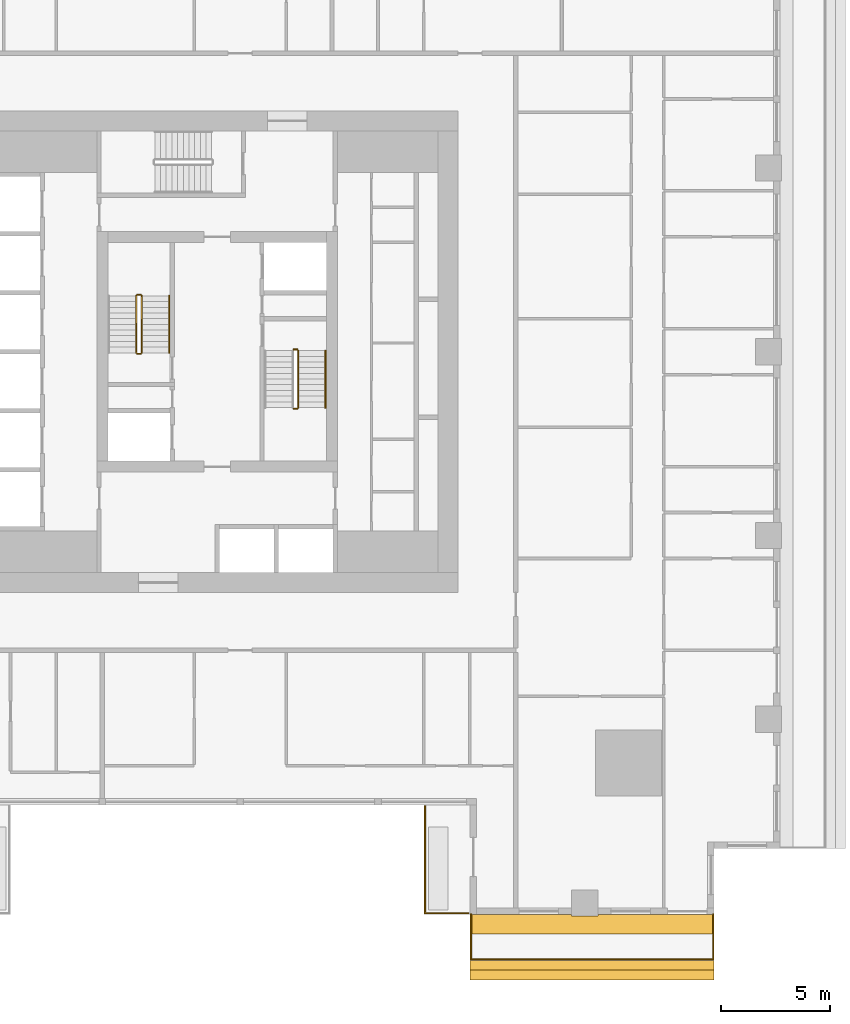
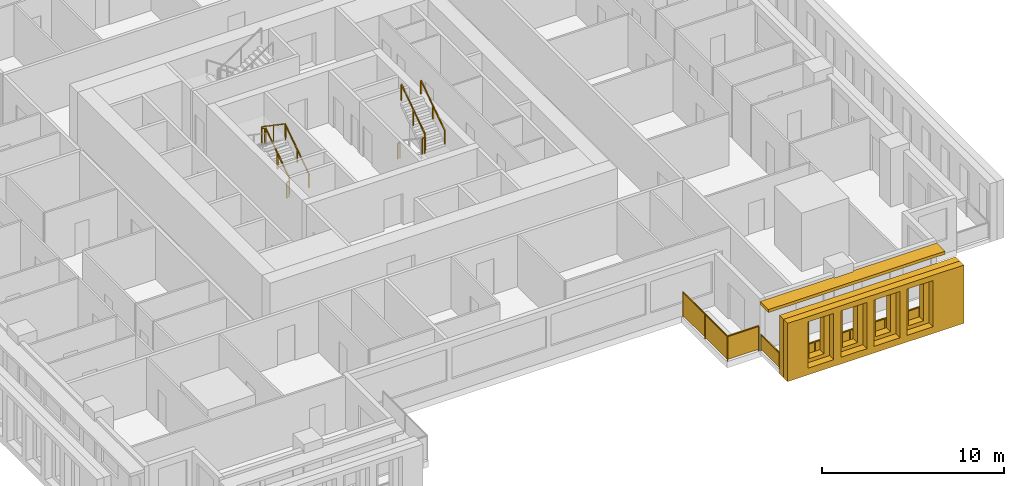
# One storey, part 12 of 15: 11 railings, 3 shading devices.
"""IFC4 building model written with IfcOpenShell, lengths in metres."""

from ifc_helpers import new_model, si_unit, direction, frame, origin, origin_2d, place, context, subcontext, project, spatial, polyline, rectangle, outline, extrude, material, layer, layer_set, type_object, element, save


model = new_model("IFC4")

# Units and contexts
model_context = context("Model", 3, precision=1e-05, world=origin(), true_north=direction((0.0, 1.0)))
body_context = subcontext(model_context, "Body", "Model", "MODEL_VIEW")
ifc_project = project(units=[si_unit("LENGTHUNIT", "METRE"), si_unit("AREAUNIT", "SQUARE_METRE"), si_unit("VOLUMEUNIT", "CUBIC_METRE"), si_unit("PLANEANGLEUNIT", "RADIAN"), si_unit("MASSUNIT", "GRAM", prefix="KILO")], contexts=[model_context])

# Site, building, storey
site_placement = place(None, origin())
site = spatial("IfcSite", under=ifc_project, at=site_placement, CompositionType="ELEMENT")
building_placement = place(site_placement, origin())
building = spatial("IfcBuilding", under=site, at=building_placement, Name="Khepri Terraces", CompositionType="ELEMENT")
storey_placement = place(building_placement, frame((0.0, 0.0, 58.199951171875)))
storey = spatial("IfcBuildingStorey", under=building, at=storey_placement, Name="L13", CompositionType="ELEMENT", Elevation=58.199951171875)

# Railings
ifc_material_1 = material(Name="Stainless steel grade 316", Category="steel")
railing_type_1 = type_object("IfcRailingType", Name="GRD-BAL-1100", PredefinedType="GUARDRAIL", material=ifc_material_1)
railing_1_placement = place(storey_placement, frame((11.60009765625, -25.719970703125, 0.0)))
element("IfcRailing", 1, at=railing_1_placement, inside=storey, type_object=railing_type_1, Name="Balcony guard L13 S", PredefinedType="GUARDRAIL", context=body_context, shape_type="SweptSolid", body=[
    extrude(rectangle(XDim=0.050048828125, YDim=0.06005859375, at=origin_2d()), frame((0.0, 0.0, 1.070068359375), z_axis=(0.0, -1.0, 0.0), x_axis=(1.0, 0.0, 0.0)), (0.0, 0.0, 1.0), 2.050048828125),
    extrude(rectangle(XDim=2.0, YDim=0.011962890625, at=origin_2d()), frame((0.0, -1.02490234375, 0.10009765625), z_axis=(0.0, 0.0, 1.0), x_axis=(0.0, -1.0, 0.0)), (0.0, 0.0, 1.0), 0.93994140625),
    extrude(rectangle(XDim=0.050048828125, YDim=0.06005859375, at=origin_2d()), frame((0.0, -2.050048828125, 1.070068359375), z_axis=(1.0, 0.0, 0.0), x_axis=(0.0, 1.0, 0.0)), (0.0, 0.0, 1.0), 11.06982421875),
    extrude(rectangle(XDim=2.163818359375, YDim=0.011962890625, at=origin_2d()), frame((1.10693359375, -2.050048828125, 0.10009765625), z_axis=(0.0, 0.0, 1.0), x_axis=(1.0, 0.0, 0.0)), (0.0, 0.0, 1.0), 0.93994140625),
    extrude(rectangle(XDim=2.163818359375, YDim=0.011962890625, at=origin_2d()), frame((3.321044921875, -2.050048828125, 0.10009765625), z_axis=(0.0, 0.0, 1.0), x_axis=(1.0, 0.0, 0.0)), (0.0, 0.0, 1.0), 0.93994140625),
    extrude(rectangle(XDim=2.163818359375, YDim=0.011962890625, at=origin_2d()), frame((5.534912109375, -2.050048828125, 0.10009765625), z_axis=(0.0, 0.0, 1.0), x_axis=(1.0, 0.0, 0.0)), (0.0, 0.0, 1.0), 0.93994140625),
    extrude(rectangle(XDim=2.163818359375, YDim=0.011962890625, at=origin_2d()), frame((7.748779296875, -2.050048828125, 0.10009765625), z_axis=(0.0, 0.0, 1.0), x_axis=(1.0, 0.0, 0.0)), (0.0, 0.0, 1.0), 0.93994140625),
    extrude(rectangle(XDim=2.163818359375, YDim=0.011962890625, at=origin_2d()), frame((9.962890625, -2.050048828125, 0.10009765625), z_axis=(0.0, 0.0, 1.0), x_axis=(1.0, 0.0, 0.0)), (0.0, 0.0, 1.0), 0.93994140625),
    extrude(rectangle(XDim=0.050048828125, YDim=0.06005859375, at=origin_2d()), frame((11.06982421875, -2.050048828125, 1.070068359375), z_axis=(0.0, 1.0, 0.0), x_axis=(-1.0, 0.0, 0.0)), (0.0, 0.0, 1.0), 2.050048828125),
    extrude(rectangle(XDim=2.0, YDim=0.011962890625, at=origin_2d()), frame((11.06982421875, -1.02490234375, 0.10009765625), z_axis=(0.0, 0.0, 1.0), x_axis=(0.0, 1.0, 0.0)), (0.0, 0.0, 1.0), 0.93994140625),
    extrude(rectangle(XDim=0.050048828125, YDim=0.050048828125, at=origin_2d()), origin(), (0.0, 0.0, 1.0), 1.0400390625),
    extrude(rectangle(XDim=0.050048828125, YDim=0.050048828125, at=origin_2d()), frame((0.0, -2.050048828125, 0.0)), (0.0, 0.0, 1.0), 1.0400390625),
    extrude(rectangle(XDim=0.050048828125, YDim=0.050048828125, at=origin_2d()), frame((2.2138671875, -2.050048828125, 0.0)), (0.0, 0.0, 1.0), 1.0400390625),
    extrude(rectangle(XDim=0.050048828125, YDim=0.050048828125, at=origin_2d()), frame((4.427978515625, -2.050048828125, 0.0)), (0.0, 0.0, 1.0), 1.0400390625),
    extrude(rectangle(XDim=0.050048828125, YDim=0.050048828125, at=origin_2d()), frame((6.641845703125, -2.050048828125, 0.0)), (0.0, 0.0, 1.0), 1.0400390625),
    extrude(rectangle(XDim=0.050048828125, YDim=0.050048828125, at=origin_2d()), frame((8.85595703125, -2.050048828125, 0.0)), (0.0, 0.0, 1.0), 1.0400390625),
    extrude(rectangle(XDim=0.050048828125, YDim=0.050048828125, at=origin_2d()), frame((11.06982421875, -2.050048828125, 0.0)), (0.0, 0.0, 1.0), 1.0400390625),
    extrude(rectangle(XDim=0.050048828125, YDim=0.050048828125, at=origin_2d()), frame((11.06982421875, 0.0, 0.0)), (0.0, 0.0, 1.0), 1.0400390625),
])
railing_type_2 = type_object("IfcRailingType", Name="GRD-TERR-1700", PredefinedType="GUARDRAIL", material=ifc_material_1)
railing_2_placement = place(storey_placement, frame((11.47998046875, -25.669921875, 0.0)))
element("IfcRailing", 2, at=railing_2_placement, inside=storey, type_object=railing_type_2, Name="Terrace guard L13", PredefinedType="GUARDRAIL", context=body_context, shape_type="SweptSolid", body=[
    extrude(rectangle(XDim=0.050048828125, YDim=0.06005859375, at=origin_2d()), frame((0.0, 0.0, 1.669921875), z_axis=(-1.0, 0.0, 0.0), x_axis=(0.0, -1.0, 0.0)), (0.0, 0.0, 1.0), 1.97998046875),
    extrude(rectangle(XDim=1.929931640625, YDim=0.011962890625, at=origin_2d()), frame((-0.989990234375, 0.0, 0.10009765625), z_axis=(0.0, 0.0, 1.0), x_axis=(-1.0, 0.0, 0.0)), (0.0, 0.0, 1.0), 1.539794921875),
    extrude(rectangle(XDim=0.050048828125, YDim=0.06005859375, at=origin_2d()), frame((-1.97998046875, 0.0, 1.669921875), z_axis=(0.0, 1.0, 0.0), x_axis=(-1.0, 0.0, 0.0)), (0.0, 0.0, 1.0), 4.8798828125),
    extrude(rectangle(XDim=2.389892578125, YDim=0.011962890625, at=origin_2d()), frame((-1.97998046875, 1.219970703125, 0.10009765625), z_axis=(0.0, 0.0, 1.0), x_axis=(0.0, 1.0, 0.0)), (0.0, 0.0, 1.0), 1.539794921875),
    extrude(rectangle(XDim=2.389892578125, YDim=0.011962890625, at=origin_2d()), frame((-1.97998046875, 3.659912109375, 0.10009765625), z_axis=(0.0, 0.0, 1.0), x_axis=(0.0, 1.0, 0.0)), (0.0, 0.0, 1.0), 1.539794921875),
    extrude(rectangle(XDim=0.050048828125, YDim=0.050048828125, at=origin_2d()), origin(), (0.0, 0.0, 1.0), 1.639892578125),
    extrude(rectangle(XDim=0.050048828125, YDim=0.050048828125, at=origin_2d()), frame((-1.97998046875, 0.0, 0.0)), (0.0, 0.0, 1.0), 1.639892578125),
    extrude(rectangle(XDim=0.050048828125, YDim=0.050048828125, at=origin_2d()), frame((-1.97998046875, 2.43994140625, 0.0)), (0.0, 0.0, 1.0), 1.639892578125),
    extrude(rectangle(XDim=0.050048828125, YDim=0.050048828125, at=origin_2d()), frame((-1.97998046875, 4.8798828125, 0.0)), (0.0, 0.0, 1.0), 1.639892578125),
])
ifc_material_2 = material(Name="Stainless steel 316", Category="steel")
railing_type_3 = type_object("IfcRailingType", Name="RL-CORE-GUARD", PredefinedType="GUARDRAIL", material=ifc_material_2)
railing_3_placement = place(storey_placement, frame((-3.449951171875, -0.050048828125, 0.17724609375)))
element("IfcRailing", 3, at=railing_3_placement, inside=storey, type_object=railing_type_3, Name="L13 ST-1 stair guard 1", PredefinedType="GUARDRAIL", context=body_context, shape_type="SweptSolid", body=[
    extrude(rectangle(XDim=0.050048828125, YDim=0.06005859375, at=origin_2d()), frame((0.0, 0.0, 1.070068359375), z_axis=(0.0, 0.826240473404, 0.563317565952), x_axis=(-1.0, 0.0, 0.0)), (0.0, 0.0, 1.0), 3.14697265625),
    extrude(rectangle(XDim=0.050048828125, YDim=0.050048828125, at=origin_2d()), origin(), (0.0, 0.0, 1.0), 1.0400390625),
    extrude(rectangle(XDim=0.050048828125, YDim=0.050048828125, at=origin_2d()), frame((0.0, 1.300048828125, 0.88623046875)), (0.0, 0.0, 1.0), 1.0400390625),
    extrude(rectangle(XDim=0.050048828125, YDim=0.050048828125, at=origin_2d()), frame((0.0, 2.60009765625, 1.772705078125)), (0.0, 0.0, 1.0), 1.0400390625),
])
railing_4_placement = place(storey_placement, frame((-3.5, 2.60009765625, 1.949951171875)))
element("IfcRailing", 4, at=railing_4_placement, inside=storey, type_object=railing_type_3, Name="L13 ST-1 stair guard 2", PredefinedType="GUARDRAIL", context=body_context, shape_type="SweptSolid", body=[
    extrude(rectangle(XDim=0.050048828125, YDim=0.06005859375, at=origin_2d()), frame((0.0, 0.0, 1.070068359375), z_axis=(-1.0, 0.0, 0.0), x_axis=(0.0, -1.0, 0.0)), (0.0, 0.0, 1.0), 0.14990234375),
    extrude(rectangle(XDim=0.050048828125, YDim=0.050048828125, at=origin_2d()), origin(), (0.0, 0.0, 1.0), 1.0400390625),
    extrude(rectangle(XDim=0.050048828125, YDim=0.050048828125, at=origin_2d()), frame((-0.14990234375, 0.0, 0.0)), (0.0, 0.0, 1.0), 1.0400390625),
])
railing_5_placement = place(storey_placement, frame((-3.699951171875, 2.550048828125, 2.12744140625)))
element("IfcRailing", 5, at=railing_5_placement, inside=storey, type_object=railing_type_3, Name="L13 ST-1 stair guard 3", PredefinedType="GUARDRAIL", context=body_context, shape_type="SweptSolid", body=[
    extrude(rectangle(XDim=0.050048828125, YDim=0.06005859375, at=origin_2d()), frame((0.0, 0.0, 1.070068359375), z_axis=(0.0, -0.826240473404, 0.563317565952), x_axis=(1.0, 0.0, 0.0)), (0.0, 0.0, 1.0), 3.14697265625),
    extrude(rectangle(XDim=0.050048828125, YDim=0.050048828125, at=origin_2d()), origin(), (0.0, 0.0, 1.0), 1.0400390625),
    extrude(rectangle(XDim=0.050048828125, YDim=0.050048828125, at=origin_2d()), frame((0.0, -1.300048828125, 0.88623046875)), (0.0, 0.0, 1.0), 1.0400390625),
    extrude(rectangle(XDim=0.050048828125, YDim=0.050048828125, at=origin_2d()), frame((0.0, -2.60009765625, 1.772705078125)), (0.0, 0.0, 1.0), 1.0400390625),
])
railing_6_placement = place(storey_placement, frame((-3.5, -0.10009765625, 0.0)))
element("IfcRailing", 6, at=railing_6_placement, inside=storey, type_object=railing_type_3, Name="L13 ST-1 stair guard 4", PredefinedType="GUARDRAIL", context=body_context, shape_type="SweptSolid", body=[
    extrude(rectangle(XDim=0.050048828125, YDim=0.06005859375, at=origin_2d()), frame((0.0, 0.0, 1.070068359375), z_axis=(-1.0, 0.0, 0.0), x_axis=(0.0, -1.0, 0.0)), (0.0, 0.0, 1.0), 0.14990234375),
    extrude(rectangle(XDim=0.050048828125, YDim=0.050048828125, at=origin_2d()), origin(), (0.0, 0.0, 1.0), 1.0400390625),
    extrude(rectangle(XDim=0.050048828125, YDim=0.050048828125, at=origin_2d()), frame((-0.14990234375, 0.0, 0.0)), (0.0, 0.0, 1.0), 1.0400390625),
])
railing_7_placement = place(storey_placement, frame((3.5, -2.60009765625, 1.949951171875)))
element("IfcRailing", 7, at=railing_7_placement, inside=storey, type_object=railing_type_3, Name="L13 ST-2 stair guard 2", PredefinedType="GUARDRAIL", context=body_context, shape_type="SweptSolid", body=[
    extrude(rectangle(XDim=0.050048828125, YDim=0.06005859375, at=origin_2d()), frame((0.0, 0.0, 1.070068359375), z_axis=(1.0, 0.0, 0.0), x_axis=(0.0, 1.0, 0.0)), (0.0, 0.0, 1.0), 0.14990234375),
    extrude(rectangle(XDim=0.050048828125, YDim=0.050048828125, at=origin_2d()), origin(), (0.0, 0.0, 1.0), 1.0400390625),
    extrude(rectangle(XDim=0.050048828125, YDim=0.050048828125, at=origin_2d()), frame((0.14990234375, 0.0, 0.0)), (0.0, 0.0, 1.0), 1.0400390625),
])
railing_8_placement = place(storey_placement, frame((3.699951171875, -2.550048828125, 2.12744140625)))
element("IfcRailing", 8, at=railing_8_placement, inside=storey, type_object=railing_type_3, Name="L13 ST-2 stair guard 3", PredefinedType="GUARDRAIL", context=body_context, shape_type="SweptSolid", body=[
    extrude(rectangle(XDim=0.050048828125, YDim=0.06005859375, at=origin_2d()), frame((0.0, 0.0, 1.070068359375), z_axis=(0.0, 0.826240473404, 0.563317565952), x_axis=(-1.0, 0.0, 0.0)), (0.0, 0.0, 1.0), 3.14697265625),
    extrude(rectangle(XDim=0.050048828125, YDim=0.050048828125, at=origin_2d()), origin(), (0.0, 0.0, 1.0), 1.0400390625),
    extrude(rectangle(XDim=0.050048828125, YDim=0.050048828125, at=origin_2d()), frame((0.0, 1.300048828125, 0.88623046875)), (0.0, 0.0, 1.0), 1.0400390625),
    extrude(rectangle(XDim=0.050048828125, YDim=0.050048828125, at=origin_2d()), frame((0.0, 2.60009765625, 1.772705078125)), (0.0, 0.0, 1.0), 1.0400390625),
])
railing_9_placement = place(storey_placement, frame((3.5, 0.10009765625, 0.0)))
element("IfcRailing", 9, at=railing_9_placement, inside=storey, type_object=railing_type_3, Name="L13 ST-2 stair guard 4", PredefinedType="GUARDRAIL", context=body_context, shape_type="SweptSolid", body=[
    extrude(rectangle(XDim=0.050048828125, YDim=0.06005859375, at=origin_2d()), frame((0.0, 0.0, 1.070068359375), z_axis=(1.0, 0.0, 0.0), x_axis=(0.0, 1.0, 0.0)), (0.0, 0.0, 1.0), 0.14990234375),
    extrude(rectangle(XDim=0.050048828125, YDim=0.050048828125, at=origin_2d()), origin(), (0.0, 0.0, 1.0), 1.0400390625),
    extrude(rectangle(XDim=0.050048828125, YDim=0.050048828125, at=origin_2d()), frame((0.14990234375, 0.0, 0.0)), (0.0, 0.0, 1.0), 1.0400390625),
])
railing_type_4 = type_object("IfcRailingType", Name="RL-CORE-HANDRAIL", PredefinedType="HANDRAIL", material=ifc_material_2)
for number, where, name in (
    (10, (-2.199951171875, -0.050048828125, 0.17724609375), "L13 ST-1 stair handrail 1"),
    (11, (4.949951171875, -2.550048828125, 2.12744140625), "L13 ST-2 stair handrail 2"),
):
    element("IfcRailing", number, at=place(storey_placement, frame(where)), inside=storey, type_object=railing_type_4, Name=name, PredefinedType="HANDRAIL", context=body_context, shape_type="SweptSolid", body=[
        extrude(rectangle(XDim=0.050048828125, YDim=0.050048828125, at=origin_2d()), frame((0.0, 0.0, 0.875), z_axis=(0.0, 0.826240473404, 0.563317565952), x_axis=(-1.0, 0.0, 0.0)), (0.0, 0.0, 1.0), 3.14697265625),
        extrude(rectangle(XDim=0.050048828125, YDim=0.050048828125, at=origin_2d()), origin(), (0.0, 0.0, 1.0), 0.849853515625),
        extrude(rectangle(XDim=0.050048828125, YDim=0.050048828125, at=origin_2d()), frame((0.0, 1.300048828125, 0.88623046875)), (0.0, 0.0, 1.0), 0.849853515625),
        extrude(rectangle(XDim=0.050048828125, YDim=0.050048828125, at=origin_2d()), frame((0.0, 2.60009765625, 1.772705078125)), (0.0, 0.0, 1.0), 0.849853515625),
    ])

# Shading devices
ifc_material_3 = material(Name="Precast concrete C50/60 warm stone", Category="masonry")
shading_device_type_1 = type_object("IfcShadingDeviceType", Name="SCR-CELL-INNER-450", PredefinedType="USERDEFINED", material=ifc_material_3)
shading_device_1_placement = place(storey_placement, frame((11.550048828125, -27.820068359375, -0.25), z_axis=(0.0, -1.0, 0.0), x_axis=(1.0, 0.0, 0.0)))
element("IfcShadingDevice", 12, at=shading_device_1_placement, inside=storey, type_object=shading_device_type_1, Name="Cell screen L13 S in", ObjectType="SCREEN", PredefinedType="USERDEFINED", context=body_context, shape_type="SweptSolid", body=[
    extrude(outline(polyline([(0.0, 0.0), (11.169921875, 0.0), (11.169921875, 3.89990234375), (0.0, 3.89990234375), (0.0, 0.0)]), holes=[polyline([(1.62744140625, 0.699951171875), (2.572509765625, 0.699951171875), (2.572509765625, 3.300048828125), (1.62744140625, 3.300048828125), (1.62744140625, 0.699951171875)]), polyline([(3.7275390625, 0.699951171875), (4.672607421875, 0.699951171875), (4.672607421875, 3.300048828125), (3.7275390625, 3.300048828125), (3.7275390625, 0.699951171875)]), polyline([(5.827392578125, 0.699951171875), (6.7724609375, 0.699951171875), (6.7724609375, 3.300048828125), (5.827392578125, 3.300048828125), (5.827392578125, 0.699951171875)]), polyline([(7.927490234375, 0.699951171875), (8.87255859375, 0.699951171875), (8.87255859375, 3.300048828125), (7.927490234375, 3.300048828125), (7.927490234375, 0.699951171875)]), polyline([(10.027587890625, 0.699951171875), (10.972412109375, 0.699951171875), (10.972412109375, 3.300048828125), (10.027587890625, 3.300048828125), (10.027587890625, 0.699951171875)])]), origin(), (0.0, 0.0, 1.0), 0.449951171875),
])
shading_device_type_2 = type_object("IfcShadingDeviceType", Name="SCR-CELL-OUTER-450", PredefinedType="USERDEFINED", material=ifc_material_3)
shading_device_2_placement = place(storey_placement, frame((11.550048828125, -28.27001953125, -0.25), z_axis=(0.0, -1.0, 0.0), x_axis=(1.0, 0.0, 0.0)))
element("IfcShadingDevice", 13, at=shading_device_2_placement, inside=storey, type_object=shading_device_type_2, Name="Cell screen L13 S out", ObjectType="SCREEN", PredefinedType="USERDEFINED", context=body_context, shape_type="SweptSolid", body=[
    extrude(outline(polyline([(0.0, 0.0), (11.169921875, 0.0), (11.169921875, 3.89990234375), (0.0, 3.89990234375), (0.0, 0.0)]), holes=[polyline([(1.277587890625, 0.449951171875), (2.922607421875, 0.449951171875), (2.922607421875, 3.550048828125), (1.277587890625, 3.550048828125), (1.277587890625, 0.449951171875)]), polyline([(3.37744140625, 0.449951171875), (5.0224609375, 0.449951171875), (5.0224609375, 3.550048828125), (3.37744140625, 3.550048828125), (3.37744140625, 0.449951171875)]), polyline([(5.4775390625, 0.449951171875), (7.12255859375, 0.449951171875), (7.12255859375, 3.550048828125), (5.4775390625, 3.550048828125), (5.4775390625, 0.449951171875)]), polyline([(7.577392578125, 0.449951171875), (9.222412109375, 0.449951171875), (9.222412109375, 3.550048828125), (7.577392578125, 3.550048828125), (7.577392578125, 0.449951171875)])]), origin(), (0.0, 0.0, 1.0), 0.449951171875),
])
ifc_layer = layer(ifc_material_3, 0.199951171875, Name="Precast concrete C50/60 warm stone", Category="masonry")
ifc_layer_set = layer_set([ifc_layer], Name="Precast concrete C50/60 warm stone")
shading_device_type_3 = type_object("IfcShadingDeviceType", Name="SSH-BAND-STONE-200", PredefinedType="USERDEFINED", material=ifc_layer_set)
shading_device_3_placement = place(storey_placement, frame((0.0, 0.0, 3.10009765625)))
element("IfcShadingDevice", 14, at=shading_device_3_placement, inside=storey, type_object=shading_device_type_3, Name="Sunshade band L13 S", ObjectType="SUNSHADE", PredefinedType="USERDEFINED", context=body_context, shape_type="SweptSolid", body=[
    extrude(outline(polyline([(16.199951171875, -25.719970703125), (11.550048828125, -25.719970703125), (11.550048828125, -26.6201171875), (22.719970703125, -26.6201171875), (22.719970703125, -25.719970703125), (17.39990234375, -25.719970703125), (17.39990234375, -25.800048828125), (16.199951171875, -25.800048828125), (16.199951171875, -25.719970703125)])), origin(), (0.0, 0.0, 1.0), 0.199951171875),
])

save(model, "model.ifc")
